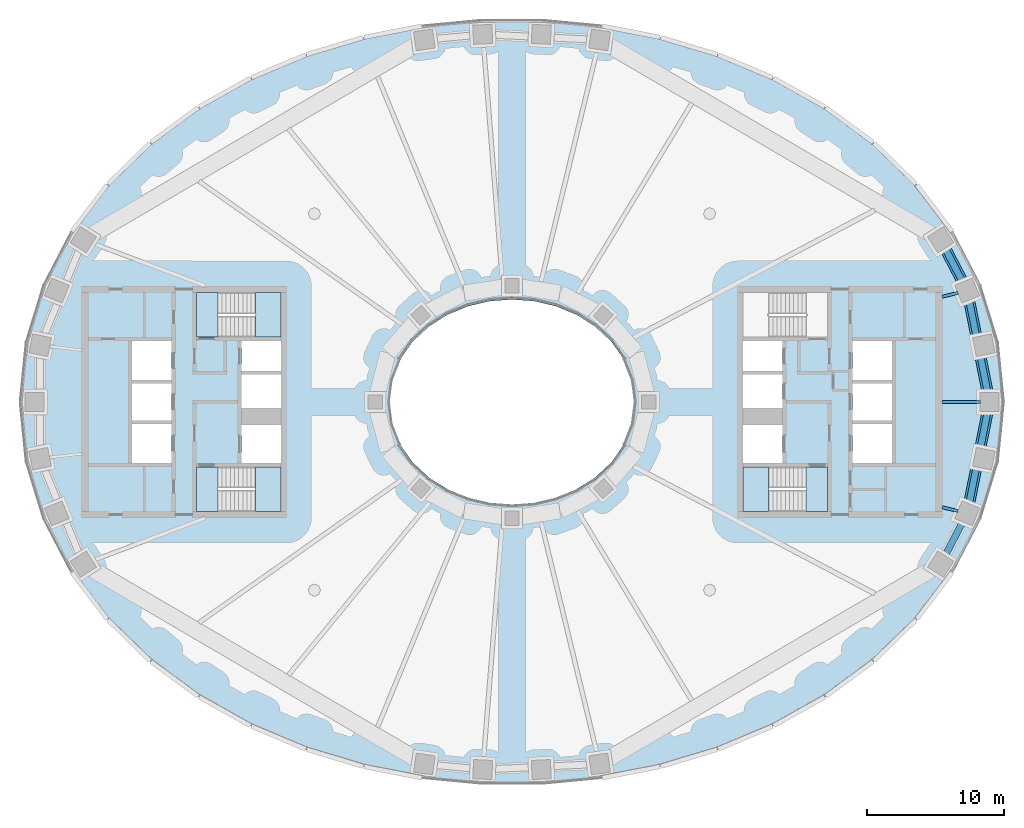
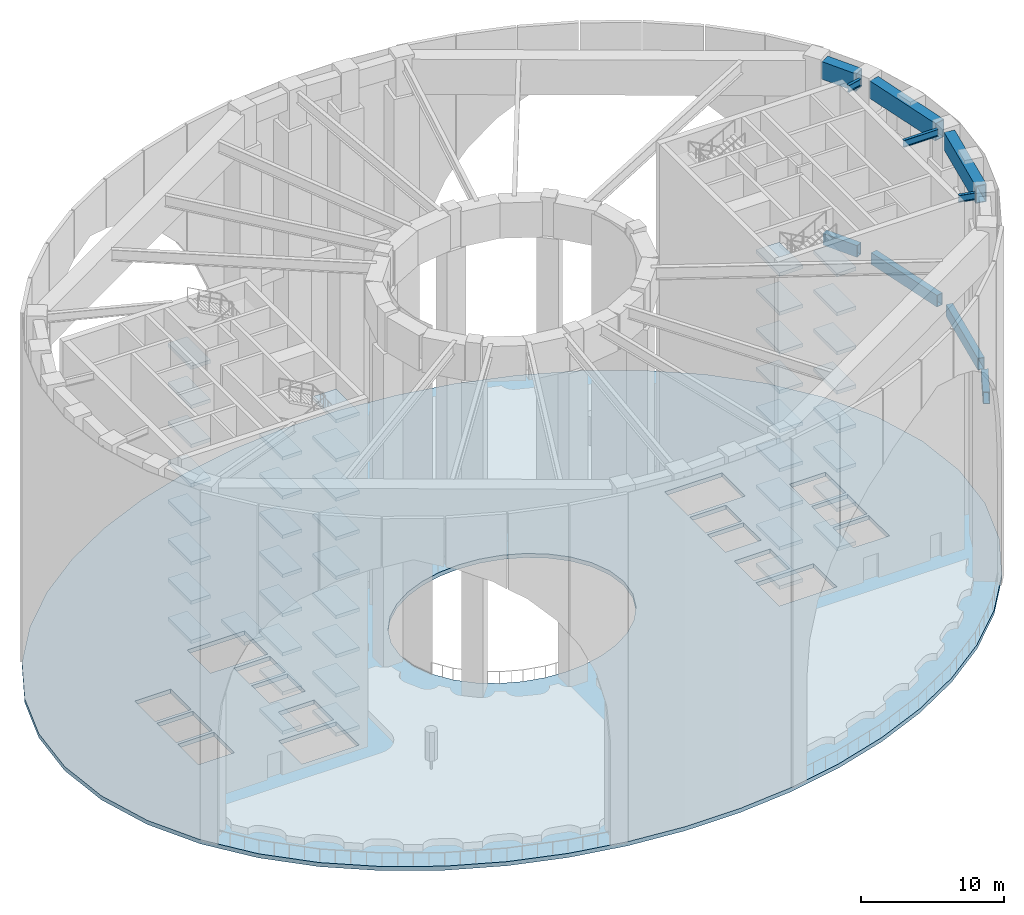
# One storey, part 2 of 26: 44 slabs, 10 beams, 3 elements without a shape of their own.
"""IFC4 building model written with IfcOpenShell, lengths in metres."""

from ifc_helpers import new_model, si_unit, direction, frame, origin, origin_2d, place, context, subcontext, project, spatial, polyline, hollow_rectangle, i_section, outline, extrude, material, layer, layer_set, material_profile, profile_set, type_object, element, aggregate, save


model = new_model("IFC4")

# Units and contexts
model_context = context("Model", 3, precision=1e-05, world=origin(), true_north=direction((0.0, 1.0)))
body_context = subcontext(model_context, "Body", "Model", "MODEL_VIEW")
ifc_project = project(units=[si_unit("LENGTHUNIT", "METRE"), si_unit("AREAUNIT", "SQUARE_METRE"), si_unit("VOLUMEUNIT", "CUBIC_METRE"), si_unit("PLANEANGLEUNIT", "RADIAN"), si_unit("MASSUNIT", "GRAM", prefix="KILO")], contexts=[model_context])

# Site, building, storey
site_placement = place(None, origin())
site = spatial("IfcSite", under=ifc_project, at=site_placement, CompositionType="ELEMENT")
building_placement = place(site_placement, origin())
building = spatial("IfcBuilding", under=site, at=building_placement, Name="Noorbagh Ring Tower", CompositionType="ELEMENT")
storey_placement = place(building_placement, frame((0.0, 0.0, 203.5)))
storey = spatial("IfcBuildingStorey", under=building, at=storey_placement, Name="L47", CompositionType="ELEMENT", Elevation=203.5)

# Beams
ifc_material_1 = material(Name="Steel S460", Category="steel")
ifc_material_profile_1 = material_profile(ifc_material_1, hollow_rectangle(XDim=0.5, YDim=1.0, WallThickness=0.0400390625, at=origin_2d()), Name="BOX1000x500x40")
ifc_profile_set_1 = profile_set([ifc_material_profile_1], Name="Steel S460")
beam_type_1 = type_object("IfcBeamType", Name="STR-PORTAL-TIE-RING-BOX1000x500x40-S460", PredefinedType="BEAM", material=ifc_profile_set_1)
beam_1_placement = place(storey_placement, frame((34.807861328125, 0.680419921875, 14.5), z_axis=(-0.197227762478, 0.980357694777, 0.0), x_axis=(-0.980357694777, -0.197227762478, 0.0)))
element("IfcBeam", 1, at=beam_1_placement, inside=storey, type_object=beam_type_1, Name="Portal tie ring beam", PredefinedType="BEAM", context=body_context, shape_type="SweptSolid", body=[
    extrude(hollow_rectangle(XDim=0.5, YDim=1.0, WallThickness=0.0400390625, at=origin_2d()), origin(), (0.0, 0.0, 1.0), 6.92578125),
])
for number, where, z_axis, x_axis, name in (
    (2, (32.989501953125, 8.7548828125, 14.5), (-0.462289017529, 0.886729307214, 0.0), (-0.886729307214, -0.462289017529, 0.0), "Portal tie ring beam"),
    (3, (31.680419921875, -11.265869140625, 14.5), (0.462289017529, 0.886729307214, 0.0), (-0.886729307214, 0.462289017529, 0.0), "Portal tie ring beam"),
):
    element("IfcBeam", number, at=place(storey_placement, frame(where, z_axis=z_axis, x_axis=x_axis)), inside=storey, type_object=beam_type_1, Name=name, PredefinedType="BEAM", context=body_context, shape_type="SweptSolid", body=[
        extrude(hollow_rectangle(XDim=0.5, YDim=1.0, WallThickness=0.0400390625, at=origin_2d()), origin(), (0.0, 0.0, 1.0), 2.831787109375),
    ])
beam_2_placement = place(storey_placement, frame((33.44189453125, -7.47021484375, 14.5), z_axis=(0.197227762478, 0.980357694777, 0.0), x_axis=(-0.980357694777, 0.197227762478, 0.0)))
element("IfcBeam", 4, at=beam_2_placement, inside=storey, type_object=beam_type_1, Name="Portal tie ring beam", PredefinedType="BEAM", context=body_context, shape_type="SweptSolid", body=[
    extrude(hollow_rectangle(XDim=0.5, YDim=1.0, WallThickness=0.0400390625, at=origin_2d()), origin(), (0.0, 0.0, 1.0), 6.92578125),
])
ifc_material_2 = material(Name="Steel S355", Category="steel")
ifc_material_profile_2 = material_profile(ifc_material_2, i_section(OverallWidth=0.219970703125, OverallDepth=0.60009765625, WebThickness=0.011962890625, FlangeThickness=0.01904296875, FilletRadius=0.02392578125, at=origin_2d()), Name="IPE600")
ifc_profile_set_2 = profile_set([ifc_material_profile_2], Name="Steel S355")
beam_type_2 = type_object("IfcBeamType", Name="STR-RAD-IPE600", PredefinedType="BEAM", material=ifc_profile_set_2)
beam_3_placement = place(storey_placement, frame((34.2646484375, 0.0, 29.39990234375), z_axis=(-1.0, 0.0, 0.0), x_axis=(0.0, -1.0, 0.0)))
element("IfcBeam", 5, at=beam_3_placement, inside=storey, type_object=beam_type_2, Name="L47/bm/RD01", PredefinedType="BEAM", context=body_context, shape_type="SweptSolid", body=[
    extrude(i_section(OverallWidth=0.219970703125, OverallDepth=0.60009765625, WebThickness=0.011962890625, FlangeThickness=0.01904296875, FilletRadius=0.02392578125, at=origin_2d()), origin(), (0.0, 0.0, 1.0), 2.78466796875),
])
for number, where, z_axis, x_axis, name in (
    (6, (32.636962890625, 7.98583984375, 29.39990234375), (-0.971348532858, -0.237659478485, 0.0), (0.237659478485, -0.971348532858, 0.0), "L47/bm/RD03"),
    (7, (32.636962890625, -7.98583984375, 29.39990234375), (-0.971348532858, 0.237659478485, 0.0), (-0.237659478485, -0.971348532858, 0.0), "L47/bm/RD45"),
):
    element("IfcBeam", number, at=place(storey_placement, frame(where, z_axis=z_axis, x_axis=x_axis)), inside=storey, type_object=beam_type_2, Name=name, PredefinedType="BEAM", context=body_context, shape_type="SweptSolid", body=[
        extrude(i_section(OverallWidth=0.219970703125, OverallDepth=0.60009765625, WebThickness=0.011962890625, FlangeThickness=0.01904296875, FilletRadius=0.02392578125, at=origin_2d()), origin(), (0.0, 0.0, 1.0), 1.190673828125),
    ])
ifc_material_3 = material(Name="Steel S460", Category="steel")
ifc_material_profile_3 = material_profile(ifc_material_3, hollow_rectangle(XDim=0.800048828125, YDim=1.5, WallThickness=0.06005859375, at=origin_2d()), Name="BOX1500x800x60")
ifc_profile_set_3 = profile_set([ifc_material_profile_3], Name="Steel S460")
beam_type_3 = type_object("IfcBeamType", Name="STR-TRANSFER-GIRDER-BOX1500x800x60-S460", PredefinedType="BEAM", material=ifc_profile_set_3)
beam_4_placement = place(storey_placement, frame((34.807861328125, 0.680419921875, 28.949951171875), z_axis=(-0.197227762478, 0.980357694777, 0.0), x_axis=(-0.980357694777, -0.197227762478, 0.0)))
element("IfcBeam", 8, at=beam_4_placement, inside=storey, type_object=beam_type_3, Name="L47/bm/SP01", PredefinedType="BEAM", context=body_context, shape_type="SweptSolid", body=[
    extrude(hollow_rectangle(XDim=0.800048828125, YDim=1.5, WallThickness=0.06005859375, at=origin_2d()), origin(), (0.0, 0.0, 1.0), 6.92578125),
])
beam_5_placement = place(storey_placement, frame((32.989501953125, 8.7548828125, 28.949951171875), z_axis=(-0.462289017529, 0.886729307214, 0.0), x_axis=(-0.886729307214, -0.462289017529, 0.0)))
element("IfcBeam", 9, at=beam_5_placement, inside=storey, type_object=beam_type_3, Name="L47/bm/SP03", PredefinedType="BEAM", context=body_context, shape_type="SweptSolid", body=[
    extrude(hollow_rectangle(XDim=0.800048828125, YDim=1.5, WallThickness=0.06005859375, at=origin_2d()), origin(), (0.0, 0.0, 1.0), 2.831787109375),
])
beam_6_placement = place(storey_placement, frame((33.44189453125, -7.47021484375, 28.949951171875), z_axis=(0.197227762478, 0.980357694777, 0.0), x_axis=(-0.980357694777, 0.197227762478, 0.0)))
element("IfcBeam", 10, at=beam_6_placement, inside=storey, type_object=beam_type_3, Name="L47/bm/SP45", PredefinedType="BEAM", context=body_context, shape_type="SweptSolid", body=[
    extrude(hollow_rectangle(XDim=0.800048828125, YDim=1.5, WallThickness=0.06005859375, at=origin_2d()), origin(), (0.0, 0.0, 1.0), 6.92578125),
])

# Stair, slabs
ifc_material_4 = material(Name="Concrete C40/50", Category="concrete")
stair_type = type_object("IfcStairType", Name="CORE-STAIR", PredefinedType="HALF_TURN_STAIR", material=ifc_material_4)
stair_1_placement = place(storey_placement, origin())
stair_1 = element("IfcStair", 11, at=stair_1_placement, inside=storey, type_object=stair_type, Name="L47 Exit stair ST1", PredefinedType="HALF_TURN_STAIR")
ifc_material_5 = material(Name="Concrete C40/50", Category="concrete")
ifc_layer_1 = layer(ifc_material_5, 0.300048828125)
ifc_layer_set_1 = layer_set([ifc_layer_1], Name="Concrete C40/50")
slab_type_1 = type_object("IfcSlabType", Name="CORE-STAIR-LANDING", PredefinedType="LANDING", material=ifc_layer_set_1)
slab_1_placement = place(storey_placement, frame((0.0, 0.0, 1.36669921875)))
slab_1 = element("IfcSlab", 12, at=slab_1_placement, type_object=slab_type_1, Name="ST1 landing 1", PredefinedType="LANDING", context=body_context, shape_type="SweptSolid", body=[
    extrude(outline(polyline([(-18.784912109375, 4.75), (-16.89990234375, 4.75), (-16.89990234375, 8.0), (-18.784912109375, 8.0), (-18.784912109375, 4.75)])), origin(), (0.0, 0.0, 1.0), 0.300048828125),
])
slab_2_placement = place(storey_placement, frame((0.0, 0.0, 3.033447265625)))
slab_2 = element("IfcSlab", 13, at=slab_2_placement, type_object=slab_type_1, Name="ST1 landing 2", PredefinedType="LANDING", context=body_context, shape_type="SweptSolid", body=[
    extrude(outline(polyline([(-23.080078125, 4.75), (-21.530029296875, 4.75), (-21.530029296875, 8.0), (-23.080078125, 8.0), (-23.080078125, 4.75)])), origin(), (0.0, 0.0, 1.0), 0.2998046875),
])
slab_3_placement = place(storey_placement, frame((0.0, 0.0, 6.36669921875)))
slab_3 = element("IfcSlab", 14, at=slab_3_placement, type_object=slab_type_1, Name="ST1 landing 4", PredefinedType="LANDING", context=body_context, shape_type="SweptSolid", body=[
    extrude(outline(polyline([(-23.080078125, 4.75), (-21.530029296875, 4.75), (-21.530029296875, 8.0), (-23.080078125, 8.0), (-23.080078125, 4.75)])), origin(), (0.0, 0.0, 1.0), 0.300048828125),
])
slab_4_placement = place(storey_placement, frame((0.0, 0.0, 13.033447265625)))
slab_4 = element("IfcSlab", 15, at=slab_4_placement, type_object=slab_type_1, Name="ST1 landing 7", PredefinedType="LANDING", context=body_context, shape_type="SweptSolid", body=[
    extrude(outline(polyline([(-23.080078125, 4.75), (-21.530029296875, 4.75), (-21.530029296875, 8.0), (-23.080078125, 8.0), (-23.080078125, 4.75)])), origin(), (0.0, 0.0, 1.0), 0.2998046875),
])
slab_5_placement = place(storey_placement, frame((0.0, 0.0, 16.36669921875)))
slab_5 = element("IfcSlab", 16, at=slab_5_placement, type_object=slab_type_1, Name="ST1 landing 9", PredefinedType="LANDING", context=body_context, shape_type="SweptSolid", body=[
    extrude(outline(polyline([(-23.080078125, 4.75), (-21.530029296875, 4.75), (-21.530029296875, 8.0), (-23.080078125, 8.0), (-23.080078125, 4.75)])), origin(), (0.0, 0.0, 1.0), 0.300048828125),
])
slab_6_placement = place(storey_placement, frame((0.0, 0.0, 9.699951171875)))
slab_6 = element("IfcSlab", 17, at=slab_6_placement, type_object=slab_type_1, Name="ST1 landing 11", PredefinedType="LANDING", context=body_context, shape_type="SweptSolid", body=[
    extrude(outline(polyline([(-23.080078125, 4.75), (-21.530029296875, 4.75), (-21.530029296875, 8.0), (-23.080078125, 8.0), (-23.080078125, 4.75)])), origin(), (0.0, 0.0, 1.0), 0.300048828125),
])
slab_7_placement = place(storey_placement, frame((0.0, 0.0, 23.033447265625)))
slab_7 = element("IfcSlab", 18, at=slab_7_placement, type_object=slab_type_1, Name="ST1 landing 13", PredefinedType="LANDING", context=body_context, shape_type="SweptSolid", body=[
    extrude(outline(polyline([(-23.080078125, 4.75), (-21.530029296875, 4.75), (-21.530029296875, 8.0), (-23.080078125, 8.0), (-23.080078125, 4.75)])), origin(), (0.0, 0.0, 1.0), 0.2998046875),
])
slab_8_placement = place(storey_placement, frame((0.0, 0.0, 26.36669921875)))
slab_8 = element("IfcSlab", 19, at=slab_8_placement, type_object=slab_type_1, Name="ST1 landing 15", PredefinedType="LANDING", context=body_context, shape_type="SweptSolid", body=[
    extrude(outline(polyline([(-23.080078125, 4.75), (-21.530029296875, 4.75), (-21.530029296875, 8.0), (-23.080078125, 8.0), (-23.080078125, 4.75)])), origin(), (0.0, 0.0, 1.0), 0.300048828125),
])
slab_9_placement = place(storey_placement, frame((0.0, 0.0, 19.699951171875)))
slab_9 = element("IfcSlab", 20, at=slab_9_placement, type_object=slab_type_1, Name="ST1 landing 17", PredefinedType="LANDING", context=body_context, shape_type="SweptSolid", body=[
    extrude(outline(polyline([(-23.080078125, 4.75), (-21.530029296875, 4.75), (-21.530029296875, 8.0), (-23.080078125, 8.0), (-23.080078125, 4.75)])), origin(), (0.0, 0.0, 1.0), 0.300048828125),
])
aggregate(stair_1, [slab_1, slab_2, slab_3, slab_4, slab_5, slab_6, slab_7, slab_8, slab_9])

stair_2_placement = place(storey_placement, origin())
stair_2 = element("IfcStair", 21, at=stair_2_placement, inside=storey, type_object=stair_type, Name="L47 Exit stair ST2", PredefinedType="HALF_TURN_STAIR")
slab_10_placement = place(storey_placement, frame((0.0, 0.0, 1.36669921875)))
slab_10 = element("IfcSlab", 22, at=slab_10_placement, type_object=slab_type_1, Name="ST2 landing 1", PredefinedType="LANDING", context=body_context, shape_type="SweptSolid", body=[
    extrude(outline(polyline([(-18.784912109375, -8.0), (-16.89990234375, -8.0), (-16.89990234375, -4.75), (-18.784912109375, -4.75), (-18.784912109375, -8.0)])), origin(), (0.0, 0.0, 1.0), 0.300048828125),
])
slab_11_placement = place(storey_placement, frame((0.0, 0.0, 3.033447265625)))
slab_11 = element("IfcSlab", 23, at=slab_11_placement, type_object=slab_type_1, Name="ST2 landing 2", PredefinedType="LANDING", context=body_context, shape_type="SweptSolid", body=[
    extrude(outline(polyline([(-23.080078125, -8.0), (-21.530029296875, -8.0), (-21.530029296875, -4.75), (-23.080078125, -4.75), (-23.080078125, -8.0)])), origin(), (0.0, 0.0, 1.0), 0.2998046875),
])
slab_12_placement = place(storey_placement, frame((0.0, 0.0, 4.699951171875)))
slab_12 = element("IfcSlab", 24, at=slab_12_placement, type_object=slab_type_1, Name="ST2 landing 3", PredefinedType="LANDING", context=body_context, shape_type="SweptSolid", body=[
    extrude(outline(polyline([(-18.784912109375, -8.0), (-16.89990234375, -8.0), (-16.89990234375, -4.75), (-18.784912109375, -4.75), (-18.784912109375, -8.0)])), origin(), (0.0, 0.0, 1.0), 0.300048828125),
])
slab_13_placement = place(storey_placement, frame((0.0, 0.0, 6.36669921875)))
slab_13 = element("IfcSlab", 25, at=slab_13_placement, type_object=slab_type_1, Name="ST2 landing 4", PredefinedType="LANDING", context=body_context, shape_type="SweptSolid", body=[
    extrude(outline(polyline([(-23.080078125, -8.0), (-21.530029296875, -8.0), (-21.530029296875, -4.75), (-23.080078125, -4.75), (-23.080078125, -8.0)])), origin(), (0.0, 0.0, 1.0), 0.300048828125),
])
slab_14_placement = place(storey_placement, frame((0.0, 0.0, 8.033447265625)))
slab_14 = element("IfcSlab", 26, at=slab_14_placement, type_object=slab_type_1, Name="ST2 landing 5", PredefinedType="LANDING", context=body_context, shape_type="SweptSolid", body=[
    extrude(outline(polyline([(-18.784912109375, -8.0), (-16.89990234375, -8.0), (-16.89990234375, -4.75), (-18.784912109375, -4.75), (-18.784912109375, -8.0)])), origin(), (0.0, 0.0, 1.0), 0.2998046875),
])
slab_15_placement = place(storey_placement, frame((0.0, 0.0, 11.36669921875)))
slab_15 = element("IfcSlab", 27, at=slab_15_placement, type_object=slab_type_1, Name="ST2 landing 6", PredefinedType="LANDING", context=body_context, shape_type="SweptSolid", body=[
    extrude(outline(polyline([(-18.784912109375, -8.0), (-16.89990234375, -8.0), (-16.89990234375, -4.75), (-18.784912109375, -4.75), (-18.784912109375, -8.0)])), origin(), (0.0, 0.0, 1.0), 0.300048828125),
])
slab_16_placement = place(storey_placement, frame((0.0, 0.0, 13.033447265625)))
slab_16 = element("IfcSlab", 28, at=slab_16_placement, type_object=slab_type_1, Name="ST2 landing 7", PredefinedType="LANDING", context=body_context, shape_type="SweptSolid", body=[
    extrude(outline(polyline([(-23.080078125, -8.0), (-21.530029296875, -8.0), (-21.530029296875, -4.75), (-23.080078125, -4.75), (-23.080078125, -8.0)])), origin(), (0.0, 0.0, 1.0), 0.2998046875),
])
slab_17_placement = place(storey_placement, frame((0.0, 0.0, 14.699951171875)))
slab_17 = element("IfcSlab", 29, at=slab_17_placement, type_object=slab_type_1, Name="ST2 landing 8", PredefinedType="LANDING", context=body_context, shape_type="SweptSolid", body=[
    extrude(outline(polyline([(-18.784912109375, -8.0), (-16.89990234375, -8.0), (-16.89990234375, -4.75), (-18.784912109375, -4.75), (-18.784912109375, -8.0)])), origin(), (0.0, 0.0, 1.0), 0.300048828125),
])
slab_18_placement = place(storey_placement, frame((0.0, 0.0, 16.36669921875)))
slab_18 = element("IfcSlab", 30, at=slab_18_placement, type_object=slab_type_1, Name="ST2 landing 9", PredefinedType="LANDING", context=body_context, shape_type="SweptSolid", body=[
    extrude(outline(polyline([(-23.080078125, -8.0), (-21.530029296875, -8.0), (-21.530029296875, -4.75), (-23.080078125, -4.75), (-23.080078125, -8.0)])), origin(), (0.0, 0.0, 1.0), 0.300048828125),
])
slab_19_placement = place(storey_placement, frame((0.0, 0.0, 18.033447265625)))
slab_19 = element("IfcSlab", 31, at=slab_19_placement, type_object=slab_type_1, Name="ST2 landing 10", PredefinedType="LANDING", context=body_context, shape_type="SweptSolid", body=[
    extrude(outline(polyline([(-18.784912109375, -8.0), (-16.89990234375, -8.0), (-16.89990234375, -4.75), (-18.784912109375, -4.75), (-18.784912109375, -8.0)])), origin(), (0.0, 0.0, 1.0), 0.2998046875),
])
slab_20_placement = place(storey_placement, frame((0.0, 0.0, 9.699951171875)))
slab_20 = element("IfcSlab", 32, at=slab_20_placement, type_object=slab_type_1, Name="ST2 landing 11", PredefinedType="LANDING", context=body_context, shape_type="SweptSolid", body=[
    extrude(outline(polyline([(-23.080078125, -8.0), (-21.530029296875, -8.0), (-21.530029296875, -4.75), (-23.080078125, -4.75), (-23.080078125, -8.0)])), origin(), (0.0, 0.0, 1.0), 0.300048828125),
])
slab_21_placement = place(storey_placement, frame((0.0, 0.0, 21.36669921875)))
slab_21 = element("IfcSlab", 33, at=slab_21_placement, type_object=slab_type_1, Name="ST2 landing 12", PredefinedType="LANDING", context=body_context, shape_type="SweptSolid", body=[
    extrude(outline(polyline([(-18.784912109375, -8.0), (-16.89990234375, -8.0), (-16.89990234375, -4.75), (-18.784912109375, -4.75), (-18.784912109375, -8.0)])), origin(), (0.0, 0.0, 1.0), 0.300048828125),
])
slab_22_placement = place(storey_placement, frame((0.0, 0.0, 23.033447265625)))
slab_22 = element("IfcSlab", 34, at=slab_22_placement, type_object=slab_type_1, Name="ST2 landing 13", PredefinedType="LANDING", context=body_context, shape_type="SweptSolid", body=[
    extrude(outline(polyline([(-23.080078125, -8.0), (-21.530029296875, -8.0), (-21.530029296875, -4.75), (-23.080078125, -4.75), (-23.080078125, -8.0)])), origin(), (0.0, 0.0, 1.0), 0.2998046875),
])
slab_23_placement = place(storey_placement, frame((0.0, 0.0, 24.699951171875)))
slab_23 = element("IfcSlab", 35, at=slab_23_placement, type_object=slab_type_1, Name="ST2 landing 14", PredefinedType="LANDING", context=body_context, shape_type="SweptSolid", body=[
    extrude(outline(polyline([(-18.784912109375, -8.0), (-16.89990234375, -8.0), (-16.89990234375, -4.75), (-18.784912109375, -4.75), (-18.784912109375, -8.0)])), origin(), (0.0, 0.0, 1.0), 0.300048828125),
])
slab_24_placement = place(storey_placement, frame((0.0, 0.0, 26.36669921875)))
slab_24 = element("IfcSlab", 36, at=slab_24_placement, type_object=slab_type_1, Name="ST2 landing 15", PredefinedType="LANDING", context=body_context, shape_type="SweptSolid", body=[
    extrude(outline(polyline([(-23.080078125, -8.0), (-21.530029296875, -8.0), (-21.530029296875, -4.75), (-23.080078125, -4.75), (-23.080078125, -8.0)])), origin(), (0.0, 0.0, 1.0), 0.300048828125),
])
slab_25_placement = place(storey_placement, frame((0.0, 0.0, 28.033447265625)))
slab_25 = element("IfcSlab", 37, at=slab_25_placement, type_object=slab_type_1, Name="ST2 landing 16", PredefinedType="LANDING", context=body_context, shape_type="SweptSolid", body=[
    extrude(outline(polyline([(-18.784912109375, -8.0), (-16.89990234375, -8.0), (-16.89990234375, -4.75), (-18.784912109375, -4.75), (-18.784912109375, -8.0)])), origin(), (0.0, 0.0, 1.0), 0.2998046875),
])
slab_26_placement = place(storey_placement, frame((0.0, 0.0, 19.699951171875)))
slab_26 = element("IfcSlab", 38, at=slab_26_placement, type_object=slab_type_1, Name="ST2 landing 17", PredefinedType="LANDING", context=body_context, shape_type="SweptSolid", body=[
    extrude(outline(polyline([(-23.080078125, -8.0), (-21.530029296875, -8.0), (-21.530029296875, -4.75), (-23.080078125, -4.75), (-23.080078125, -8.0)])), origin(), (0.0, 0.0, 1.0), 0.300048828125),
])
aggregate(stair_2, [slab_10, slab_11, slab_12, slab_13, slab_14, slab_15, slab_16, slab_17, slab_18, slab_19, slab_20, slab_21, slab_22, slab_23, slab_24, slab_25, slab_26])

stair_3_placement = place(storey_placement, origin())
stair_3 = element("IfcStair", 39, at=stair_3_placement, inside=storey, type_object=stair_type, Name="L47 Exit stair ST4", PredefinedType="HALF_TURN_STAIR")
slab_27_placement = place(storey_placement, frame((0.0, 0.0, 1.36669921875)))
slab_27 = element("IfcSlab", 40, at=slab_27_placement, type_object=slab_type_1, Name="ST4 landing 1", PredefinedType="LANDING", context=body_context, shape_type="SweptSolid", body=[
    extrude(outline(polyline([(18.784912109375, -4.75), (16.89990234375, -4.75), (16.89990234375, -8.0), (18.784912109375, -8.0), (18.784912109375, -4.75)])), origin(), (0.0, 0.0, 1.0), 0.300048828125),
])
slab_28_placement = place(storey_placement, frame((0.0, 0.0, 3.033447265625)))
slab_28 = element("IfcSlab", 41, at=slab_28_placement, type_object=slab_type_1, Name="ST4 landing 2", PredefinedType="LANDING", context=body_context, shape_type="SweptSolid", body=[
    extrude(outline(polyline([(23.080078125, -4.75), (21.530029296875, -4.75), (21.530029296875, -8.0), (23.080078125, -8.0), (23.080078125, -4.75)])), origin(), (0.0, 0.0, 1.0), 0.2998046875),
])
slab_29_placement = place(storey_placement, frame((0.0, 0.0, 4.699951171875)))
slab_29 = element("IfcSlab", 42, at=slab_29_placement, type_object=slab_type_1, Name="ST4 landing 3", PredefinedType="LANDING", context=body_context, shape_type="SweptSolid", body=[
    extrude(outline(polyline([(18.784912109375, -4.75), (16.89990234375, -4.75), (16.89990234375, -8.0), (18.784912109375, -8.0), (18.784912109375, -4.75)])), origin(), (0.0, 0.0, 1.0), 0.300048828125),
])
slab_30_placement = place(storey_placement, frame((0.0, 0.0, 6.36669921875)))
slab_30 = element("IfcSlab", 43, at=slab_30_placement, type_object=slab_type_1, Name="ST4 landing 4", PredefinedType="LANDING", context=body_context, shape_type="SweptSolid", body=[
    extrude(outline(polyline([(23.080078125, -4.75), (21.530029296875, -4.75), (21.530029296875, -8.0), (23.080078125, -8.0), (23.080078125, -4.75)])), origin(), (0.0, 0.0, 1.0), 0.300048828125),
])
slab_31_placement = place(storey_placement, frame((0.0, 0.0, 8.033447265625)))
slab_31 = element("IfcSlab", 44, at=slab_31_placement, type_object=slab_type_1, Name="ST4 landing 5", PredefinedType="LANDING", context=body_context, shape_type="SweptSolid", body=[
    extrude(outline(polyline([(18.784912109375, -4.75), (16.89990234375, -4.75), (16.89990234375, -8.0), (18.784912109375, -8.0), (18.784912109375, -4.75)])), origin(), (0.0, 0.0, 1.0), 0.2998046875),
])
slab_32_placement = place(storey_placement, frame((0.0, 0.0, 11.36669921875)))
slab_32 = element("IfcSlab", 45, at=slab_32_placement, type_object=slab_type_1, Name="ST4 landing 6", PredefinedType="LANDING", context=body_context, shape_type="SweptSolid", body=[
    extrude(outline(polyline([(18.784912109375, -4.75), (16.89990234375, -4.75), (16.89990234375, -8.0), (18.784912109375, -8.0), (18.784912109375, -4.75)])), origin(), (0.0, 0.0, 1.0), 0.300048828125),
])
slab_33_placement = place(storey_placement, frame((0.0, 0.0, 13.033447265625)))
slab_33 = element("IfcSlab", 46, at=slab_33_placement, type_object=slab_type_1, Name="ST4 landing 7", PredefinedType="LANDING", context=body_context, shape_type="SweptSolid", body=[
    extrude(outline(polyline([(23.080078125, -4.75), (21.530029296875, -4.75), (21.530029296875, -8.0), (23.080078125, -8.0), (23.080078125, -4.75)])), origin(), (0.0, 0.0, 1.0), 0.2998046875),
])
slab_34_placement = place(storey_placement, frame((0.0, 0.0, 14.699951171875)))
slab_34 = element("IfcSlab", 47, at=slab_34_placement, type_object=slab_type_1, Name="ST4 landing 8", PredefinedType="LANDING", context=body_context, shape_type="SweptSolid", body=[
    extrude(outline(polyline([(18.784912109375, -4.75), (16.89990234375, -4.75), (16.89990234375, -8.0), (18.784912109375, -8.0), (18.784912109375, -4.75)])), origin(), (0.0, 0.0, 1.0), 0.300048828125),
])
slab_35_placement = place(storey_placement, frame((0.0, 0.0, 16.36669921875)))
slab_35 = element("IfcSlab", 48, at=slab_35_placement, type_object=slab_type_1, Name="ST4 landing 9", PredefinedType="LANDING", context=body_context, shape_type="SweptSolid", body=[
    extrude(outline(polyline([(23.080078125, -4.75), (21.530029296875, -4.75), (21.530029296875, -8.0), (23.080078125, -8.0), (23.080078125, -4.75)])), origin(), (0.0, 0.0, 1.0), 0.300048828125),
])
slab_36_placement = place(storey_placement, frame((0.0, 0.0, 18.033447265625)))
slab_36 = element("IfcSlab", 49, at=slab_36_placement, type_object=slab_type_1, Name="ST4 landing 10", PredefinedType="LANDING", context=body_context, shape_type="SweptSolid", body=[
    extrude(outline(polyline([(18.784912109375, -4.75), (16.89990234375, -4.75), (16.89990234375, -8.0), (18.784912109375, -8.0), (18.784912109375, -4.75)])), origin(), (0.0, 0.0, 1.0), 0.2998046875),
])
slab_37_placement = place(storey_placement, frame((0.0, 0.0, 9.699951171875)))
slab_37 = element("IfcSlab", 50, at=slab_37_placement, type_object=slab_type_1, Name="ST4 landing 11", PredefinedType="LANDING", context=body_context, shape_type="SweptSolid", body=[
    extrude(outline(polyline([(23.080078125, -4.75), (21.530029296875, -4.75), (21.530029296875, -8.0), (23.080078125, -8.0), (23.080078125, -4.75)])), origin(), (0.0, 0.0, 1.0), 0.300048828125),
])
slab_38_placement = place(storey_placement, frame((0.0, 0.0, 21.36669921875)))
slab_38 = element("IfcSlab", 51, at=slab_38_placement, type_object=slab_type_1, Name="ST4 landing 12", PredefinedType="LANDING", context=body_context, shape_type="SweptSolid", body=[
    extrude(outline(polyline([(18.784912109375, -4.75), (16.89990234375, -4.75), (16.89990234375, -8.0), (18.784912109375, -8.0), (18.784912109375, -4.75)])), origin(), (0.0, 0.0, 1.0), 0.300048828125),
])
slab_39_placement = place(storey_placement, frame((0.0, 0.0, 23.033447265625)))
slab_39 = element("IfcSlab", 52, at=slab_39_placement, type_object=slab_type_1, Name="ST4 landing 13", PredefinedType="LANDING", context=body_context, shape_type="SweptSolid", body=[
    extrude(outline(polyline([(23.080078125, -4.75), (21.530029296875, -4.75), (21.530029296875, -8.0), (23.080078125, -8.0), (23.080078125, -4.75)])), origin(), (0.0, 0.0, 1.0), 0.2998046875),
])
slab_40_placement = place(storey_placement, frame((0.0, 0.0, 24.699951171875)))
slab_40 = element("IfcSlab", 53, at=slab_40_placement, type_object=slab_type_1, Name="ST4 landing 14", PredefinedType="LANDING", context=body_context, shape_type="SweptSolid", body=[
    extrude(outline(polyline([(18.784912109375, -4.75), (16.89990234375, -4.75), (16.89990234375, -8.0), (18.784912109375, -8.0), (18.784912109375, -4.75)])), origin(), (0.0, 0.0, 1.0), 0.300048828125),
])
slab_41_placement = place(storey_placement, frame((0.0, 0.0, 26.36669921875)))
slab_41 = element("IfcSlab", 54, at=slab_41_placement, type_object=slab_type_1, Name="ST4 landing 15", PredefinedType="LANDING", context=body_context, shape_type="SweptSolid", body=[
    extrude(outline(polyline([(23.080078125, -4.75), (21.530029296875, -4.75), (21.530029296875, -8.0), (23.080078125, -8.0), (23.080078125, -4.75)])), origin(), (0.0, 0.0, 1.0), 0.300048828125),
])
slab_42_placement = place(storey_placement, frame((0.0, 0.0, 28.033447265625)))
slab_42 = element("IfcSlab", 55, at=slab_42_placement, type_object=slab_type_1, Name="ST4 landing 16", PredefinedType="LANDING", context=body_context, shape_type="SweptSolid", body=[
    extrude(outline(polyline([(18.784912109375, -4.75), (16.89990234375, -4.75), (16.89990234375, -8.0), (18.784912109375, -8.0), (18.784912109375, -4.75)])), origin(), (0.0, 0.0, 1.0), 0.2998046875),
])
slab_43_placement = place(storey_placement, frame((0.0, 0.0, 19.699951171875)))
slab_43 = element("IfcSlab", 56, at=slab_43_placement, type_object=slab_type_1, Name="ST4 landing 17", PredefinedType="LANDING", context=body_context, shape_type="SweptSolid", body=[
    extrude(outline(polyline([(23.080078125, -4.75), (21.530029296875, -4.75), (21.530029296875, -8.0), (23.080078125, -8.0), (23.080078125, -4.75)])), origin(), (0.0, 0.0, 1.0), 0.300048828125),
])
aggregate(stair_3, [slab_27, slab_28, slab_29, slab_30, slab_31, slab_32, slab_33, slab_34, slab_35, slab_36, slab_37, slab_38, slab_39, slab_40, slab_41, slab_42, slab_43])

# Slab
ifc_material_6 = material(Name="Concrete C40/50", Category="concrete")
ifc_layer_2 = layer(ifc_material_6, 0.35009765625)
ifc_layer_set_2 = layer_set([ifc_layer_2], Name="Concrete C40/50")
slab_type_2 = type_object("IfcSlabType", Name="STR-TERRACE-DECK-350", PredefinedType="FLOOR", material=ifc_layer_set_2)
slab_44_placement = place(storey_placement, frame((0.0, 0.0, -0.35009765625)))
element("IfcSlab", 57, at=slab_44_placement, inside=storey, type_object=slab_type_2, Name="L47/slab/1", PredefinedType="FLOOR", context=body_context, shape_type="SweptSolid", body=[
    extrude(outline(polyline([(36.0, 0.0), (35.56103515625, 4.358642578125), (34.281005859375, 8.548828125), (32.255126953125, 12.434814453125), (29.607666015625, 15.92822265625), (26.463134765625, 18.983154296875), (22.9326171875, 21.583740234375), (19.108154296875, 23.730224609375), (15.0654296875, 25.430419921875), (10.865234375, 26.6943359375), (6.5595703125, 27.53125), (2.193115234375, 27.947998046875), (-2.193115234375, 27.947998046875), (-6.5595703125, 27.53125), (-10.865234375, 26.6943359375), (-15.0654296875, 25.430419921875), (-19.108154296875, 23.730224609375), (-22.9326171875, 21.583740234375), (-26.463134765625, 18.983154296875), (-29.607666015625, 15.92822265625), (-32.255126953125, 12.434814453125), (-34.281005859375, 8.548828125), (-35.56103515625, 4.358642578125), (-36.0, 0.0), (-35.56103515625, -4.358642578125), (-34.281005859375, -8.548828125), (-32.255126953125, -12.434814453125), (-29.607666015625, -15.92822265625), (-26.463134765625, -18.983154296875), (-22.9326171875, -21.583740234375), (-19.108154296875, -23.730224609375), (-15.0654296875, -25.430419921875), (-10.865234375, -26.6943359375), (-6.5595703125, -27.53125), (-2.193115234375, -27.947998046875), (2.193115234375, -27.947998046875), (6.5595703125, -27.53125), (10.865234375, -26.6943359375), (15.0654296875, -25.430419921875), (19.108154296875, -23.730224609375), (22.9326171875, -21.583740234375), (26.463134765625, -18.983154296875), (29.607666015625, -15.92822265625), (32.255126953125, -12.434814453125), (34.281005859375, -8.548828125), (35.56103515625, -4.358642578125), (36.0, 0.0)]), holes=[polyline([(24.89990234375, 4.449951171875), (27.800048828125, 4.449951171875), (27.800048828125, 1.60009765625), (24.89990234375, 1.60009765625), (24.89990234375, 4.449951171875)]), polyline([(24.89990234375, 1.35009765625), (27.800048828125, 1.35009765625), (27.800048828125, -1.35009765625), (24.89990234375, -1.35009765625), (24.89990234375, 1.35009765625)]), polyline([(24.89990234375, -1.60009765625), (27.800048828125, -1.60009765625), (27.800048828125, -4.449951171875), (24.89990234375, -4.449951171875), (24.89990234375, -1.60009765625)]), polyline([(21.529541015625, -8.0), (16.89990234375, -8.0), (16.89990234375, -4.75), (21.529541015625, -4.75), (21.529541015625, -8.0)]), polyline([(16.89990234375, 4.75), (16.89990234375, 8.0), (21.529541015625, 8.0), (21.529541015625, 4.75), (16.89990234375, 4.75)]), polyline([(19.800048828125, 4.449951171875), (19.800048828125, 2.25), (16.89990234375, 2.25), (16.89990234375, 4.449951171875), (19.800048828125, 4.449951171875)]), polyline([(16.89990234375, 2.0), (19.800048828125, 2.0), (19.800048828125, -0.449951171875), (16.89990234375, -0.449951171875), (16.89990234375, 2.0)]), polyline([(16.89990234375, -1.699951171875), (19.800048828125, -1.699951171875), (19.800048828125, -4.449951171875), (16.89990234375, -4.449951171875), (16.89990234375, -1.699951171875)]), polyline([(4.697509765625, -6.3974609375), (3.196533203125, -7.010986328125), (1.6171875, -7.3779296875), (0.0, -7.5), (-1.6171875, -7.3779296875), (-3.196533203125, -7.010986328125), (-4.697509765625, -6.3974609375), (-6.071044921875, -5.53662109375), (-7.2587890625, -4.43408203125), (-8.1904296875, -3.10888671875), (-8.79150390625, -1.605224609375), (-9.0, 0.0), (-8.79150390625, 1.605224609375), (-8.1904296875, 3.10888671875), (-7.2587890625, 4.43408203125), (-6.071044921875, 5.53662109375), (-4.697509765625, 6.3974609375), (-3.196533203125, 7.010986328125), (-1.6171875, 7.3779296875), (0.0, 7.5), (1.6171875, 7.3779296875), (3.196533203125, 7.010986328125), (4.697509765625, 6.3974609375), (6.071044921875, 5.53662109375), (7.2587890625, 4.43408203125), (8.1904296875, 3.10888671875), (8.79150390625, 1.605224609375), (9.0, 0.0), (8.79150390625, -1.605224609375), (8.1904296875, -3.10888671875), (7.2587890625, -4.43408203125), (6.071044921875, -5.53662109375), (4.697509765625, -6.3974609375)]), polyline([(-16.89990234375, 2.25), (-19.800048828125, 2.25), (-19.800048828125, 4.449951171875), (-16.89990234375, 4.449951171875), (-16.89990234375, 2.25)]), polyline([(-16.89990234375, -0.449951171875), (-19.800048828125, -0.449951171875), (-19.800048828125, 2.0), (-16.89990234375, 2.0), (-16.89990234375, -0.449951171875)]), polyline([(-16.89990234375, -4.449951171875), (-19.800048828125, -4.449951171875), (-19.800048828125, -1.699951171875), (-16.89990234375, -1.699951171875), (-16.89990234375, -4.449951171875)]), polyline([(-21.529541015625, 8.0), (-16.89990234375, 8.0), (-16.89990234375, 4.75), (-21.529541015625, 4.75), (-21.529541015625, 8.0)]), polyline([(-21.529541015625, -4.75), (-16.89990234375, -4.75), (-16.89990234375, -8.0), (-21.529541015625, -8.0), (-21.529541015625, -4.75)]), polyline([(-24.89990234375, -4.449951171875), (-27.800048828125, -4.449951171875), (-27.800048828125, -1.60009765625), (-24.89990234375, -1.60009765625), (-24.89990234375, -4.449951171875)]), polyline([(-24.89990234375, 1.60009765625), (-27.800048828125, 1.60009765625), (-27.800048828125, 4.449951171875), (-24.89990234375, 4.449951171875), (-24.89990234375, 1.60009765625)]), polyline([(-24.89990234375, -1.35009765625), (-27.800048828125, -1.35009765625), (-27.800048828125, 1.35009765625), (-24.89990234375, 1.35009765625), (-24.89990234375, -1.35009765625)])]), origin(), (0.0, 0.0, 1.0), 0.35009765625),
])

save(model, "model.ifc")
